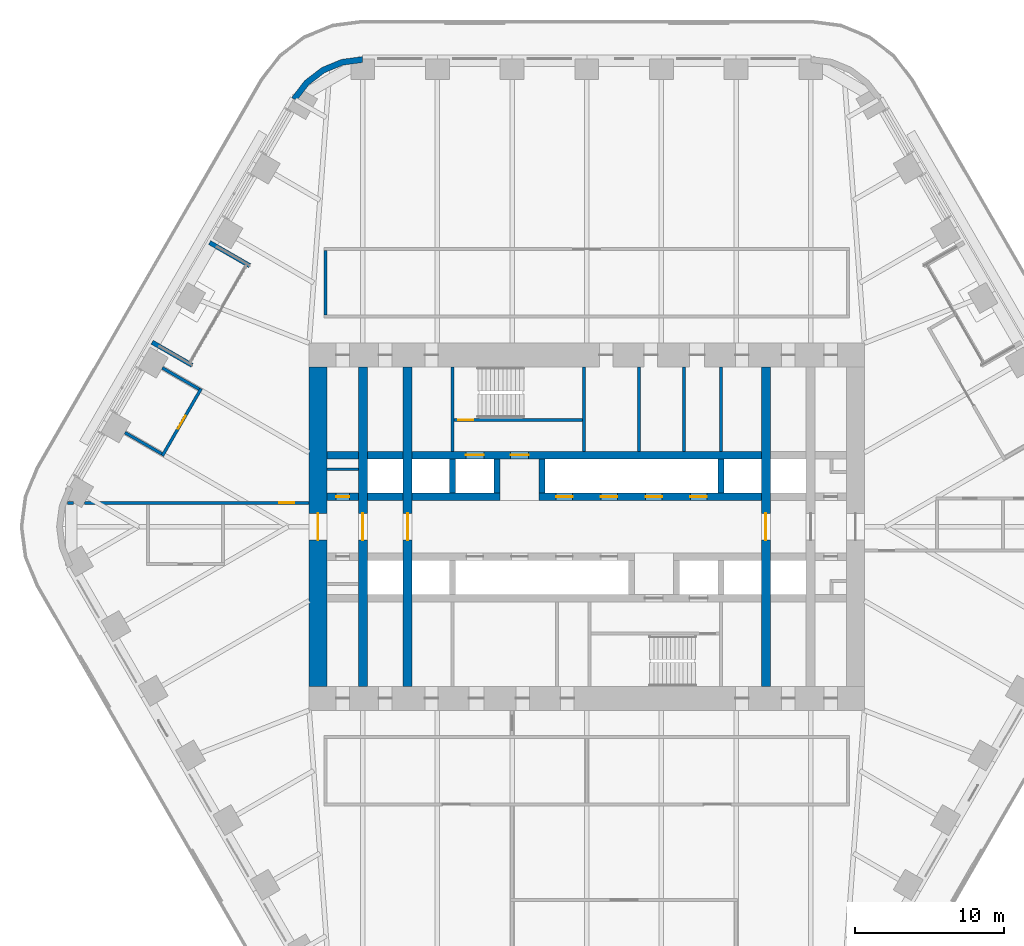
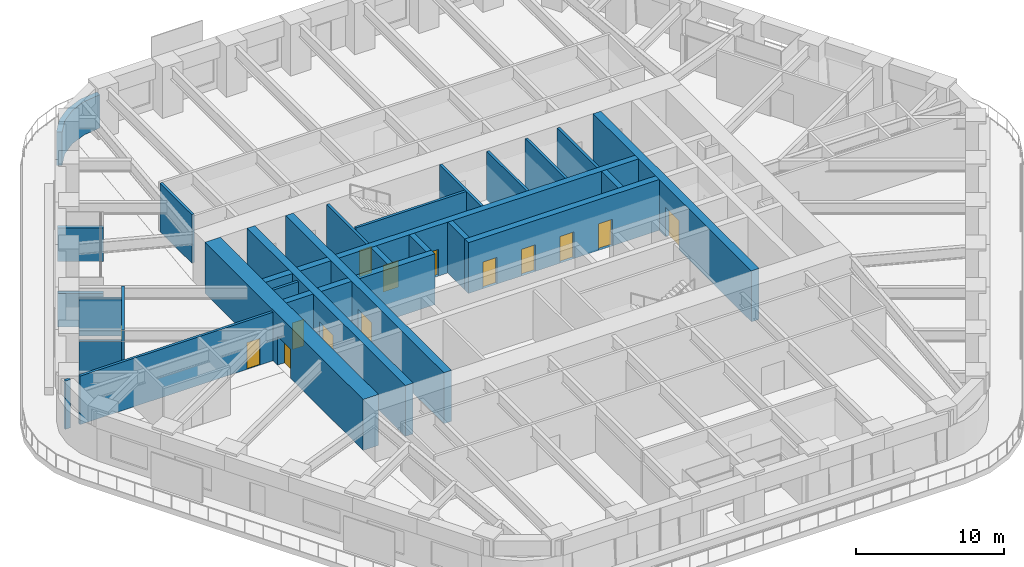
# One storey, part 19 of 24: 31 walls, 14 doors, 14 openings.
"""IFC4 building model written with IfcOpenShell, lengths in metres."""

from ifc_helpers import new_model, si_unit, direction, frame, frame_2d, origin, place, context, subcontext, project, spatial, polyline, rectangle, outline, extrude, material, layer, layer_set, type_object, element, fill, save


model = new_model("IFC4")

# Units and contexts
model_context = context("Model", 3, precision=1e-05, world=origin(), true_north=direction((0.0, 1.0)))
body_context = subcontext(model_context, "Body", "Model", "MODEL_VIEW")
ifc_project = project(units=[si_unit("LENGTHUNIT", "METRE"), si_unit("AREAUNIT", "SQUARE_METRE"), si_unit("VOLUMEUNIT", "CUBIC_METRE"), si_unit("PLANEANGLEUNIT", "RADIAN"), si_unit("MASSUNIT", "GRAM", prefix="KILO")], contexts=[model_context])

# Site, building, storey
site_placement = place(None, origin())
site = spatial("IfcSite", under=ifc_project, at=site_placement, CompositionType="ELEMENT")
building_placement = place(site_placement, origin())
building = spatial("IfcBuilding", under=site, at=building_placement, Name="Tarfa Lantern Tower", CompositionType="ELEMENT")
storey_placement = place(building_placement, frame((0.0, 0.0, 178.300048828125)))
storey = spatial("IfcBuildingStorey", under=building, at=storey_placement, Name="L40", CompositionType="ELEMENT", Elevation=178.300048828125)

# Walls
ifc_material_1 = material(Name="Limestone cladding on blockwork", Category="masonry")
ifc_layer_1 = layer(ifc_material_1, 0.300048828125)
ifc_layer_set_1 = layer_set([ifc_layer_1], Name="EW1 STONE-CLAD WALL 300")
wall_type_1 = type_object("IfcWallType", Name="EW1 STONE-CLAD WALL 300", PredefinedType="SOLIDWALL", material=ifc_layer_set_1)
wall_1_placement = place(storey_placement, frame((-25.266357421875, 19.037353515625, 0.0), z_axis=(0.0, 0.0, 1.0), x_axis=(0.86600983753, -0.500026960575, 0.0)))
element("IfcWall", 1, at=wall_1_placement, inside=storey, type_object=wall_type_1, Name="Loggia return NW 1", PredefinedType="SOLIDWALL", context=body_context, shape_type="SweptSolid", body=[
    extrude(rectangle(XDim=3.099853515625, YDim=0.300048828125, at=frame_2d((1.5498046875, 0.0))), origin(), (0.0, 0.0, 1.0), 2.75),
])
wall_2_placement = place(storey_placement, frame((-29.1201171875, 12.362548828125, 0.0), z_axis=(0.0, 0.0, 1.0), x_axis=(0.86602952684, -0.49999285859, 0.0)))
element("IfcWall", 2, at=wall_2_placement, inside=storey, type_object=wall_type_1, Name="Loggia return NW 2", PredefinedType="SOLIDWALL", context=body_context, shape_type="SweptSolid", body=[
    extrude(rectangle(XDim=3.10009765625, YDim=0.300048828125, at=frame_2d((1.550048828125, 0.0))), origin(), (0.0, 0.0, 1.0), 2.75),
])
ifc_layer_2 = layer(ifc_material_1, 0.39990234375)
ifc_layer_set_2 = layer_set([ifc_layer_2], Name="EW2 CURVED STONE CORNER 400")
wall_type_2 = type_object("IfcWallType", Name="EW2 CURVED STONE CORNER 400", PredefinedType="SOLIDWALL", material=ifc_layer_set_2)
wall_3_placement = place(storey_placement, origin())
element("IfcWall", 3, at=wall_3_placement, inside=storey, type_object=wall_type_2, Name="Stone corner N-NW", PredefinedType="SOLIDWALL", context=body_context, shape_type="SweptSolid", body=[
    extrude(outline(polyline([(-15.010986328125, 31.5), (-16.4345703125, 31.3125), (-17.760986328125, 30.76318359375), (-18.900146484375, 29.88916015625), (-19.774169921875, 28.75), (-19.427734375, 28.550048828125), (-18.617431640625, 29.606201171875), (-17.56103515625, 30.416748046875), (-16.3310546875, 30.92626953125), (-15.010986328125, 31.10009765625), (-15.010986328125, 31.5)])), origin(), (0.0, 0.0, 1.0), 2.75),
])
ifc_material_2 = material(Name="Concrete blockwork", Category="masonry")
ifc_layer_3 = layer(ifc_material_2, 0.199951171875)
ifc_layer_set_3 = layer_set([ifc_layer_3], Name="IW1 BLOCKWORK PARTITION 200 EI 120")
wall_type_3 = type_object("IfcWallType", Name="IW1 BLOCKWORK PARTITION 200 EI 120", PredefinedType="PARTITIONING", material=ifc_layer_set_3)
for number, where, z_axis, x_axis, name in (
    (4, (-9.0, 5.050048828125, 0.0), (0.0, 0.0, 1.0), (0.0, 1.0, 0.0), "Core partition"),
    (5, (9.0, 5.050048828125, 0.0), (0.0, 0.0, 1.0), (0.0, 1.0, 0.0), "Core partition"),
    (6, (3.5, 5.050048828125, 0.0), (0.0, 0.0, 1.0), (0.0, 1.0, 0.0), "Core partition"),
    (7, (6.5, 5.050048828125, 0.0), (0.0, 0.0, 1.0), (0.0, 1.0, 0.0), "Core partition"),
):
    element("IfcWall", number, at=place(storey_placement, frame(where, z_axis=z_axis, x_axis=x_axis)), inside=storey, type_object=wall_type_3, Name=name, PredefinedType="PARTITIONING", context=body_context, shape_type="SweptSolid", body=[
        extrude(rectangle(XDim=5.64990234375, YDim=0.199951171875, at=frame_2d((2.824951171875, 0.0))), origin(), (0.0, 0.0, 1.0), 4.0),
    ])
wall_4_placement = place(storey_placement, frame((-17.39990234375, 3.85009765625, 0.0), z_axis=(0.0, 0.0, 1.0), x_axis=(1.0, 0.0, 0.0)))
element("IfcWall", 8, at=wall_4_placement, inside=storey, type_object=wall_type_3, Name="Core partition", PredefinedType="PARTITIONING", context=body_context, shape_type="SweptSolid", body=[
    extrude(rectangle(XDim=2.099853515625, YDim=0.199951171875, at=frame_2d((1.0498046875, 0.0))), origin(), (0.0, 0.0, 1.0), 4.0),
])
ifc_material_3 = material(Name="Gypsum board on steel studs", Category="steel")
ifc_layer_4 = layer(ifc_material_3, 0.2099609375)
ifc_layer_set_4 = layer_set([ifc_layer_4], Name="IW2 ACOUSTIC PARTITION 200")
wall_type_4 = type_object("IfcWallType", Name="IW2 ACOUSTIC PARTITION 200", PredefinedType="PARTITIONING", material=ifc_layer_set_4)
wall_5_placement = place(storey_placement, frame((-17.5, 14.199951171875, 0.0), z_axis=(0.0, 0.0, 1.0), x_axis=(0.0, 1.0, 0.0)))
element("IfcWall", 9, at=wall_5_placement, inside=storey, type_object=wall_type_4, Name="Partition", PredefinedType="PARTITIONING", context=body_context, shape_type="SweptSolid", body=[
    extrude(rectangle(XDim=4.300048828125, YDim=0.199951171875, at=frame_2d((2.14990234375, 0.0))), origin(), (0.0, 0.0, 1.0), 4.0),
])

# Wall, opening, door
wall_6_placement = place(storey_placement, frame((-25.83447265625, 9.253173828125, 0.0), z_axis=(0.0, 0.0, 1.0), x_axis=(-0.500009456303, -0.866019944116, 0.0)))
wall_6 = element("IfcWall", 10, at=wall_6_placement, inside=storey, type_object=wall_type_4, Name="Partition", PredefinedType="PARTITIONING", context=body_context, shape_type="SweptSolid", body=[
    extrude(rectangle(XDim=5.20361328125, YDim=0.199951171875, at=frame_2d((2.601806640625, 0.0))), origin(), (0.0, 0.0, 1.0), 4.0),
])
opening_1_placement = place(wall_6_placement, frame((2.101806640625, 0.0, 0.0)))
opening_1 = element("IfcOpeningElement", 11, at=opening_1_placement, cuts=wall_6, Name="Opening D34", PredefinedType="OPENING", context=body_context, shape_type="SweptSolid", body=[
    extrude(rectangle(XDim=1.0, YDim=2.199951171875, at=frame_2d((0.5, 1.10009765625))), frame((0.0, 0.10986328125, 0.0), z_axis=(0.0, -1.0, 0.0), x_axis=(1.0, 0.0, 0.0)), (0.0, 0.0, 1.0), 0.219970703125),
])
ifc_material_4 = material(Name="Timber door", Category="wood")
door_type_1 = type_object("IfcDoorType", Name="DR1 ROOM DOOR 1000x2200", OperationType="SINGLE_SWING_LEFT", PredefinedType="DOOR", material=ifc_material_4)
door_1_placement = place(opening_1_placement, frame((1.0, 0.0, 0.0), z_axis=(0.0, 0.0, 1.0), x_axis=(-1.0, 0.0, 0.0)))
door_1 = element("IfcDoor", 12, at=door_1_placement, inside=storey, type_object=door_type_1, Name="Brand studio door", OperationType="SINGLE_SWING_RIGHT", OverallHeight=2.199951171875, OverallWidth=1.0, PredefinedType="DOOR", context=body_context, shape_type="SweptSolid", body=[
    extrude(rectangle(XDim=1.0, YDim=2.199951171875, at=frame_2d((0.5, 1.10009765625))), frame((0.0, 0.02490234375, 0.0), z_axis=(0.0, -1.0, 0.0), x_axis=(1.0, 0.0, 0.0)), (0.0, 0.0, 1.0), 0.050048828125),
])
fill(opening_1, door_1)

# Walls
wall_7_placement = place(storey_placement, frame((-25.97119140625, 9.216552734375, 0.0), z_axis=(0.0, 0.0, 1.0), x_axis=(-0.866004402611, 0.500036373335, 0.0)))
element("IfcWall", 13, at=wall_7_placement, inside=storey, type_object=wall_type_4, Name="Partition", PredefinedType="PARTITIONING", context=body_context, shape_type="SweptSolid", body=[
    extrude(rectangle(XDim=2.849853515625, YDim=0.199951171875, at=frame_2d((1.4248046875, 0.0))), origin(), (0.0, 0.0, 1.0), 3.08154296875),
])
wall_8_placement = place(storey_placement, frame((-28.472900390625, 4.88330078125, 0.0), z_axis=(0.0, 0.0, 1.0), x_axis=(-0.866025820012, 0.499999279071, 0.0)))
element("IfcWall", 14, at=wall_8_placement, inside=storey, type_object=wall_type_4, Name="Partition", PredefinedType="PARTITIONING", context=body_context, shape_type="SweptSolid", body=[
    extrude(rectangle(XDim=2.85009765625, YDim=0.199951171875, at=frame_2d((1.425048828125, 0.0))), origin(), (0.0, 0.0, 1.0), 3.08154296875),
])

# Wall, opening, door
wall_9_placement = place(storey_placement, frame((-18.60009765625, 1.60009765625, 0.0), z_axis=(0.0, 0.0, 1.0), x_axis=(-1.0, 0.0, 0.0)))
wall_9 = element("IfcWall", 15, at=wall_9_placement, inside=storey, type_object=wall_type_4, Name="Partition", PredefinedType="PARTITIONING", context=body_context, shape_type="SweptSolid", body=[
    extrude(rectangle(XDim=15.059326171875, YDim=0.199951171875, at=frame_2d((7.52978515625, 0.0))), origin(), (0.0, 0.0, 1.0), 4.0),
])
opening_2_placement = place(wall_9_placement, frame((1.005859375, 0.0, 0.0)))
opening_2 = element("IfcOpeningElement", 16, at=opening_2_placement, cuts=wall_9, Name="Opening D44", PredefinedType="OPENING", context=body_context, shape_type="SweptSolid", body=[
    extrude(rectangle(XDim=1.0, YDim=2.199951171875, at=frame_2d((0.5, 1.10009765625))), frame((0.0, 0.10986328125, 0.0), z_axis=(0.0, -1.0, 0.0), x_axis=(1.0, 0.0, 0.0)), (0.0, 0.0, 1.0), 0.219970703125),
])
door_2_placement = place(opening_2_placement, origin())
door_2 = element("IfcDoor", 17, at=door_2_placement, inside=storey, type_object=door_type_1, Name="Zone door", OperationType="SINGLE_SWING_RIGHT", OverallHeight=2.199951171875, OverallWidth=1.0, PredefinedType="DOOR", context=body_context, shape_type="SweptSolid", body=[
    extrude(rectangle(XDim=1.0, YDim=2.199951171875, at=frame_2d((0.5, 1.10009765625))), frame((0.0, 0.02490234375, 0.0), z_axis=(0.0, -1.0, 0.0), x_axis=(1.0, 0.0, 0.0)), (0.0, 0.0, 1.0), 0.050048828125),
])
fill(opening_2, door_2)

# Wall
wall_10_placement = place(storey_placement, frame((-34.3935546875, 1.60009765625, 0.0), z_axis=(0.0, 0.0, 1.0), x_axis=(-1.0, 0.0, 0.0)))
element("IfcWall", 18, at=wall_10_placement, inside=storey, type_object=wall_type_4, Name="Partition", PredefinedType="PARTITIONING", context=body_context, shape_type="SweptSolid", body=[
    extrude(rectangle(XDim=0.397705078125, YDim=0.199951171875, at=frame_2d((0.19873046875, 0.0))), origin(), (0.0, 0.0, 1.0), 4.0),
])

# Wall, opening, door
ifc_material_5 = material(Name="Concrete C80/95", Category="concrete")
ifc_layer_5 = layer(ifc_material_5, 1.199951171875)
ifc_layer_set_5 = layer_set([ifc_layer_5], Name="SW1 CORE WALL 1200")
wall_type_5 = type_object("IfcWallType", Name="SW1 CORE WALL 1200", PredefinedType="SHEAR", material=ifc_layer_set_5)
wall_11_placement = place(storey_placement, frame((-18.0, 10.699951171875, 0.0), z_axis=(0.0, 0.0, 1.0), x_axis=(0.0, -1.0, 0.0)))
wall_11 = element("IfcWall", 19, at=wall_11_placement, inside=storey, type_object=wall_type_5, Name="Core wall W", PredefinedType="SHEAR", context=body_context, shape_type="SweptSolid", body=[
    extrude(rectangle(XDim=21.39990234375, YDim=1.199951171875, at=frame_2d((10.699951171875, 0.0))), origin(), (0.0, 0.0, 1.0), 4.199951171875),
])
opening_3_placement = place(wall_11_placement, frame((9.800048828125, 0.0, 0.0)))
opening_3 = element("IfcOpeningElement", 20, at=opening_3_placement, cuts=wall_11, Name="Opening D16", PredefinedType="OPENING", context=body_context, shape_type="SweptSolid", body=[
    extrude(rectangle(XDim=1.800048828125, YDim=2.39990234375, at=frame_2d((0.89990234375, 1.199951171875))), frame((0.0, 0.60986328125, 0.0), z_axis=(0.0, -1.0, 0.0), x_axis=(1.0, 0.0, 0.0)), (0.0, 0.0, 1.0), 1.219970703125),
])
ifc_material_6 = material(Name="Steel fire door", Category="steel")
door_type_2 = type_object("IfcDoorType", Name="DL1 LOBBY DOOR 1800x2400", OperationType="DOUBLE_DOOR_SINGLE_SWING", PredefinedType="DOOR", material=ifc_material_6)
door_3_placement = place(opening_3_placement, frame((1.800048828125, 0.0, 0.0), z_axis=(0.0, 0.0, 1.0), x_axis=(-1.0, 0.0, 0.0)))
door_3 = element("IfcDoor", 21, at=door_3_placement, inside=storey, type_object=door_type_2, Name="Lift lobby door", OperationType="DOUBLE_DOOR_SINGLE_SWING", OverallHeight=2.39990234375, OverallWidth=1.800048828125, PredefinedType="DOOR", context=body_context, shape_type="SweptSolid", body=[
    extrude(rectangle(XDim=1.800048828125, YDim=2.39990234375, at=frame_2d((0.89990234375, 1.199951171875))), frame((0.0, 0.02490234375, 0.0), z_axis=(0.0, -1.0, 0.0), x_axis=(1.0, 0.0, 0.0)), (0.0, 0.0, 1.0), 0.050048828125),
])
fill(opening_3, door_3)

# Wall
ifc_layer_6 = layer(ifc_material_5, 0.199951171875)
ifc_layer_set_6 = layer_set([ifc_layer_6], Name="SW12 CORE WALL 200")
wall_type_6 = type_object("IfcWallType", Name="SW12 CORE WALL 200", PredefinedType="SHEAR", material=ifc_layer_set_6)
wall_12_placement = place(storey_placement, frame((-0.199951171875, 5.050048828125, 0.0), z_axis=(0.0, 0.0, 1.0), x_axis=(0.0, 1.0, 0.0)))
element("IfcWall", 22, at=wall_12_placement, inside=storey, type_object=wall_type_6, Name="Core wall stair shaft N", PredefinedType="SHEAR", context=body_context, shape_type="SweptSolid", body=[
    extrude(rectangle(XDim=5.64990234375, YDim=0.199951171875, at=frame_2d((2.824951171875, 0.0))), origin(), (0.0, 0.0, 1.0), 4.199951171875),
])

# Wall, opening, door
wall_13_placement = place(storey_placement, frame((-8.89990234375, 7.14990234375, 0.0), z_axis=(0.0, 0.0, 1.0), x_axis=(1.0, 0.0, 0.0)))
wall_13 = element("IfcWall", 23, at=wall_13_placement, inside=storey, type_object=wall_type_6, Name="Core wall stair partition N", PredefinedType="SHEAR", context=body_context, shape_type="SweptSolid", body=[
    extrude(rectangle(XDim=8.599853515625, YDim=0.199951171875, at=frame_2d((4.2998046875, 0.0))), origin(), (0.0, 0.0, 1.0), 4.199951171875),
])
opening_4_placement = place(wall_13_placement, frame((0.300048828125, 0.0, 0.0)))
opening_4 = element("IfcOpeningElement", 24, at=opening_4_placement, cuts=wall_13, Name="Opening D27", PredefinedType="OPENING", context=body_context, shape_type="SweptSolid", body=[
    extrude(rectangle(XDim=1.0, YDim=2.199951171875, at=frame_2d((0.5, 1.10009765625))), frame((0.0, 0.10986328125, 0.0), z_axis=(0.0, -1.0, 0.0), x_axis=(1.0, 0.0, 0.0)), (0.0, 0.0, 1.0), 0.219970703125),
])
door_type_3 = type_object("IfcDoorType", Name="DF2 STAIR DOOR 1000x2200", OperationType="SINGLE_SWING_LEFT", PredefinedType="DOOR", material=ifc_material_6)
door_4_placement = place(opening_4_placement, origin())
door_4 = element("IfcDoor", 25, at=door_4_placement, inside=storey, type_object=door_type_3, Name="Stair door", OperationType="SINGLE_SWING_RIGHT", OverallHeight=2.199951171875, OverallWidth=1.0, PredefinedType="DOOR", context=body_context, shape_type="SweptSolid", body=[
    extrude(rectangle(XDim=1.0, YDim=2.199951171875, at=frame_2d((0.5, 1.10009765625))), frame((0.0, 0.02490234375, 0.0), z_axis=(0.0, -1.0, 0.0), x_axis=(1.0, 0.0, 0.0)), (0.0, 0.0, 1.0), 0.050048828125),
])
fill(opening_4, door_4)

ifc_layer_7 = layer(ifc_material_5, 0.5)
ifc_layer_set_7 = layer_set([ifc_layer_7], Name="SW5 CORE WALL 500")
wall_type_7 = type_object("IfcWallType", Name="SW5 CORE WALL 500", PredefinedType="SHEAR", material=ifc_layer_set_7)
wall_14_placement = place(storey_placement, frame((-17.39990234375, 2.0, 0.0), z_axis=(0.0, 0.0, 1.0), x_axis=(1.0, 0.0, 0.0)))
wall_14 = element("IfcWall", 26, at=wall_14_placement, inside=storey, type_object=wall_type_7, Name="Core wall lobby west N", PredefinedType="SHEAR", context=body_context, shape_type="SweptSolid", body=[
    extrude(rectangle(XDim=2.099853515625, YDim=0.5, at=frame_2d((1.0498046875, 0.0))), origin(), (0.0, 0.0, 1.0), 4.199951171875),
])
opening_5_placement = place(wall_14_placement, frame((0.60009765625, 0.0, 0.0)))
opening_5 = element("IfcOpeningElement", 27, at=opening_5_placement, cuts=wall_14, Name="Opening D19", PredefinedType="OPENING", context=body_context, shape_type="SweptSolid", body=[
    extrude(rectangle(XDim=0.89990234375, YDim=2.199951171875, at=frame_2d((0.449951171875, 1.10009765625))), frame((0.0, 0.260009765625, 0.0), z_axis=(0.0, -1.0, 0.0), x_axis=(1.0, 0.0, 0.0)), (0.0, 0.0, 1.0), 0.52001953125),
])
door_type_4 = type_object("IfcDoorType", Name="DF6 SERVICE ROOM DOOR 900x2200", OperationType="SINGLE_SWING_LEFT", PredefinedType="DOOR", material=ifc_material_6)
door_5_placement = place(opening_5_placement, origin())
door_5 = element("IfcDoor", 28, at=door_5_placement, inside=storey, type_object=door_type_4, Name="Service room door", OperationType="SINGLE_SWING_LEFT", OverallHeight=2.199951171875, OverallWidth=0.89990234375, PredefinedType="DOOR", context=body_context, shape_type="SweptSolid", body=[
    extrude(rectangle(XDim=0.89990234375, YDim=2.199951171875, at=frame_2d((0.449951171875, 1.10009765625))), frame((0.0, 0.02490234375, 0.0), z_axis=(0.0, -1.0, 0.0), x_axis=(1.0, 0.0, 0.0)), (0.0, 0.0, 1.0), 0.050048828125),
])
fill(opening_5, door_5)

# Walls
wall_15_placement = place(storey_placement, frame((-14.699951171875, 2.0, 0.0), z_axis=(0.0, 0.0, 1.0), x_axis=(1.0, 0.0, 0.0)))
element("IfcWall", 29, at=wall_15_placement, inside=storey, type_object=wall_type_7, Name="Core wall lobby west N", PredefinedType="SHEAR", context=body_context, shape_type="SweptSolid", body=[
    extrude(rectangle(XDim=2.39990234375, YDim=0.5, at=frame_2d((1.199951171875, 0.0))), origin(), (0.0, 0.0, 1.0), 4.199951171875),
])
wall_16_placement = place(storey_placement, frame((-11.699951171875, 2.0, 0.0), z_axis=(0.0, 0.0, 1.0), x_axis=(1.0, 0.0, 0.0)))
element("IfcWall", 30, at=wall_16_placement, inside=storey, type_object=wall_type_7, Name="Core wall lobby west N", PredefinedType="SHEAR", context=body_context, shape_type="SweptSolid", body=[
    extrude(rectangle(XDim=5.89990234375, YDim=0.5, at=frame_2d((2.949951171875, 0.0))), origin(), (0.0, 0.0, 1.0), 4.199951171875),
])

# Wall, openings, doors
wall_17_placement = place(storey_placement, frame((-3.199951171875, 2.0, 0.0), z_axis=(0.0, 0.0, 1.0), x_axis=(1.0, 0.0, 0.0)))
wall_17 = element("IfcWall", 31, at=wall_17_placement, inside=storey, type_object=wall_type_7, Name="Core wall lobby east N", PredefinedType="SHEAR", context=body_context, shape_type="SweptSolid", body=[
    extrude(rectangle(XDim=14.89990234375, YDim=0.5, at=frame_2d((7.449951171875, 0.0))), origin(), (0.0, 0.0, 1.0), 4.199951171875),
])
opening_6_placement = place(wall_17_placement, frame((1.14990234375, 0.0, 0.0)))
opening_6 = element("IfcOpeningElement", 32, at=opening_6_placement, cuts=wall_17, Name="Opening LD03", PredefinedType="OPENING", context=body_context, shape_type="SweptSolid", body=[
    extrude(rectangle(XDim=1.10009765625, YDim=2.199951171875, at=frame_2d((0.550048828125, 1.10009765625))), frame((0.0, 0.260009765625, 0.0), z_axis=(0.0, -1.0, 0.0), x_axis=(1.0, 0.0, 0.0)), (0.0, 0.0, 1.0), 0.52001953125),
])
opening_7_placement = place(wall_17_placement, frame((4.14990234375, 0.0, 0.0)))
opening_7 = element("IfcOpeningElement", 33, at=opening_7_placement, cuts=wall_17, Name="Opening LD04", PredefinedType="OPENING", context=body_context, shape_type="SweptSolid", body=[
    extrude(rectangle(XDim=1.10009765625, YDim=2.199951171875, at=frame_2d((0.550048828125, 1.10009765625))), frame((0.0, 0.260009765625, 0.0), z_axis=(0.0, -1.0, 0.0), x_axis=(1.0, 0.0, 0.0)), (0.0, 0.0, 1.0), 0.52001953125),
])
opening_8_placement = place(wall_17_placement, frame((7.14990234375, 0.0, 0.0)))
opening_8 = element("IfcOpeningElement", 34, at=opening_8_placement, cuts=wall_17, Name="Opening LD05", PredefinedType="OPENING", context=body_context, shape_type="SweptSolid", body=[
    extrude(rectangle(XDim=1.10009765625, YDim=2.199951171875, at=frame_2d((0.550048828125, 1.10009765625))), frame((0.0, 0.260009765625, 0.0), z_axis=(0.0, -1.0, 0.0), x_axis=(1.0, 0.0, 0.0)), (0.0, 0.0, 1.0), 0.52001953125),
])
opening_9_placement = place(wall_17_placement, frame((10.14990234375, 0.0, 0.0)))
opening_9 = element("IfcOpeningElement", 35, at=opening_9_placement, cuts=wall_17, Name="Opening LD06", PredefinedType="OPENING", context=body_context, shape_type="SweptSolid", body=[
    extrude(rectangle(XDim=1.10009765625, YDim=2.199951171875, at=frame_2d((0.550048828125, 1.10009765625))), frame((0.0, 0.260009765625, 0.0), z_axis=(0.0, -1.0, 0.0), x_axis=(1.0, 0.0, 0.0)), (0.0, 0.0, 1.0), 0.52001953125),
])
ifc_material_7 = material(Name="Stainless steel lift door", Category="steel")
door_type_5 = type_object("IfcDoorType", Name="LD2 LIFT LANDING DOOR 1100x2200", OperationType="SLIDING_TO_LEFT", PredefinedType="DOOR", material=ifc_material_7)
door_6_placement = place(opening_6_placement, frame((1.10009765625, 0.0, 0.0), z_axis=(0.0, 0.0, 1.0), x_axis=(-1.0, 0.0, 0.0)))
door_6 = element("IfcDoor", 36, at=door_6_placement, inside=storey, type_object=door_type_5, Name="Landing door PB1", OperationType="SLIDING_TO_LEFT", OverallHeight=2.199951171875, OverallWidth=1.10009765625, PredefinedType="DOOR", context=body_context, shape_type="SweptSolid", body=[
    extrude(rectangle(XDim=1.10009765625, YDim=2.199951171875, at=frame_2d((0.550048828125, 1.10009765625))), frame((0.0, 0.02490234375, 0.0), z_axis=(0.0, -1.0, 0.0), x_axis=(1.0, 0.0, 0.0)), (0.0, 0.0, 1.0), 0.050048828125),
])
fill(opening_6, door_6)
door_7_placement = place(opening_7_placement, frame((1.10009765625, 0.0, 0.0), z_axis=(0.0, 0.0, 1.0), x_axis=(-1.0, 0.0, 0.0)))
door_7 = element("IfcDoor", 37, at=door_7_placement, inside=storey, type_object=door_type_5, Name="Landing door PB2", OperationType="SLIDING_TO_LEFT", OverallHeight=2.199951171875, OverallWidth=1.10009765625, PredefinedType="DOOR", context=body_context, shape_type="SweptSolid", body=[
    extrude(rectangle(XDim=1.10009765625, YDim=2.199951171875, at=frame_2d((0.550048828125, 1.10009765625))), frame((0.0, 0.02490234375, 0.0), z_axis=(0.0, -1.0, 0.0), x_axis=(1.0, 0.0, 0.0)), (0.0, 0.0, 1.0), 0.050048828125),
])
fill(opening_7, door_7)
door_8_placement = place(opening_8_placement, frame((1.10009765625, 0.0, 0.0), z_axis=(0.0, 0.0, 1.0), x_axis=(-1.0, 0.0, 0.0)))
door_8 = element("IfcDoor", 38, at=door_8_placement, inside=storey, type_object=door_type_5, Name="Landing door PB3", OperationType="SLIDING_TO_LEFT", OverallHeight=2.199951171875, OverallWidth=1.10009765625, PredefinedType="DOOR", context=body_context, shape_type="SweptSolid", body=[
    extrude(rectangle(XDim=1.10009765625, YDim=2.199951171875, at=frame_2d((0.550048828125, 1.10009765625))), frame((0.0, 0.02490234375, 0.0), z_axis=(0.0, -1.0, 0.0), x_axis=(1.0, 0.0, 0.0)), (0.0, 0.0, 1.0), 0.050048828125),
])
fill(opening_8, door_8)
door_9_placement = place(opening_9_placement, frame((1.10009765625, 0.0, 0.0), z_axis=(0.0, 0.0, 1.0), x_axis=(-1.0, 0.0, 0.0)))
door_9 = element("IfcDoor", 39, at=door_9_placement, inside=storey, type_object=door_type_5, Name="Landing door PB4", OperationType="SLIDING_TO_LEFT", OverallHeight=2.199951171875, OverallWidth=1.10009765625, PredefinedType="DOOR", context=body_context, shape_type="SweptSolid", body=[
    extrude(rectangle(XDim=1.10009765625, YDim=2.199951171875, at=frame_2d((0.550048828125, 1.10009765625))), frame((0.0, 0.02490234375, 0.0), z_axis=(0.0, -1.0, 0.0), x_axis=(1.0, 0.0, 0.0)), (0.0, 0.0, 1.0), 0.050048828125),
])
fill(opening_9, door_9)

# Walls
wall_18_placement = place(storey_placement, frame((-17.39990234375, 4.800048828125, 0.0), z_axis=(0.0, 0.0, 1.0), x_axis=(1.0, 0.0, 0.0)))
element("IfcWall", 40, at=wall_18_placement, inside=storey, type_object=wall_type_7, Name="Core wall rear N", PredefinedType="SHEAR", context=body_context, shape_type="SweptSolid", body=[
    extrude(rectangle(XDim=2.099853515625, YDim=0.5, at=frame_2d((1.0498046875, 0.0))), origin(), (0.0, 0.0, 1.0), 4.199951171875),
])
wall_19_placement = place(storey_placement, frame((-14.699951171875, 4.800048828125, 0.0), z_axis=(0.0, 0.0, 1.0), x_axis=(1.0, 0.0, 0.0)))
element("IfcWall", 41, at=wall_19_placement, inside=storey, type_object=wall_type_7, Name="Core wall rear N", PredefinedType="SHEAR", context=body_context, shape_type="SweptSolid", body=[
    extrude(rectangle(XDim=2.39990234375, YDim=0.5, at=frame_2d((1.199951171875, 0.0))), origin(), (0.0, 0.0, 1.0), 4.199951171875),
])

# Wall, openings, doors
wall_20_placement = place(storey_placement, frame((-11.699951171875, 4.800048828125, 0.0), z_axis=(0.0, 0.0, 1.0), x_axis=(1.0, 0.0, 0.0)))
wall_20 = element("IfcWall", 42, at=wall_20_placement, inside=storey, type_object=wall_type_7, Name="Core wall rear N", PredefinedType="SHEAR", context=body_context, shape_type="SweptSolid", body=[
    extrude(rectangle(XDim=23.39990234375, YDim=0.5, at=frame_2d((11.699951171875, 0.0))), origin(), (0.0, 0.0, 1.0), 4.199951171875),
])
opening_10_placement = place(wall_20_placement, frame((6.60009765625, 0.0, 0.0)))
opening_10 = element("IfcOpeningElement", 43, at=opening_10_placement, cuts=wall_20, Name="Opening D13", PredefinedType="OPENING", context=body_context, shape_type="SweptSolid", body=[
    extrude(rectangle(XDim=1.199951171875, YDim=2.199951171875, at=frame_2d((0.60009765625, 1.10009765625))), frame((0.0, 0.260009765625, 0.0), z_axis=(0.0, -1.0, 0.0), x_axis=(1.0, 0.0, 0.0)), (0.0, 0.0, 1.0), 0.52001953125),
])
opening_11_placement = place(wall_20_placement, frame((3.60009765625, 0.0, 0.0)))
opening_11 = element("IfcOpeningElement", 44, at=opening_11_placement, cuts=wall_20, Name="Opening LD01", PredefinedType="OPENING", context=body_context, shape_type="SweptSolid", body=[
    extrude(rectangle(XDim=1.199951171875, YDim=2.199951171875, at=frame_2d((0.60009765625, 1.10009765625))), frame((0.0, 0.260009765625, 0.0), z_axis=(0.0, -1.0, 0.0), x_axis=(1.0, 0.0, 0.0)), (0.0, 0.0, 1.0), 0.52001953125),
])
door_type_6 = type_object("IfcDoorType", Name="DF1 FIREFIGHTING LOBBY DOOR 1200x2200", OperationType="SINGLE_SWING_LEFT", PredefinedType="DOOR", material=ifc_material_6)
door_10_placement = place(opening_10_placement, origin())
door_10 = element("IfcDoor", 45, at=door_10_placement, inside=storey, type_object=door_type_6, Name="Firefighting lobby door", OperationType="SINGLE_SWING_LEFT", OverallHeight=2.199951171875, OverallWidth=1.199951171875, PredefinedType="DOOR", context=body_context, shape_type="SweptSolid", body=[
    extrude(rectangle(XDim=1.199951171875, YDim=2.199951171875, at=frame_2d((0.60009765625, 1.10009765625))), frame((0.0, 0.02490234375, 0.0), z_axis=(0.0, -1.0, 0.0), x_axis=(1.0, 0.0, 0.0)), (0.0, 0.0, 1.0), 0.050048828125),
])
fill(opening_10, door_10)
door_type_7 = type_object("IfcDoorType", Name="LD1 LIFT LANDING DOOR 1200x2200", OperationType="SLIDING_TO_LEFT", PredefinedType="DOOR", material=ifc_material_7)
door_11_placement = place(opening_11_placement, origin())
door_11 = element("IfcDoor", 46, at=door_11_placement, inside=storey, type_object=door_type_7, Name="Landing door FL1", OperationType="SLIDING_TO_LEFT", OverallHeight=2.199951171875, OverallWidth=1.199951171875, PredefinedType="DOOR", context=body_context, shape_type="SweptSolid", body=[
    extrude(rectangle(XDim=1.199951171875, YDim=2.199951171875, at=frame_2d((0.60009765625, 1.10009765625))), frame((0.0, 0.02490234375, 0.0), z_axis=(0.0, -1.0, 0.0), x_axis=(1.0, 0.0, 0.0)), (0.0, 0.0, 1.0), 0.050048828125),
])
fill(opening_11, door_11)

# Walls
ifc_layer_8 = layer(ifc_material_5, 0.39990234375)
ifc_layer_set_8 = layer_set([ifc_layer_8], Name="SW6 CORE WALL 400")
wall_type_8 = type_object("IfcWallType", Name="SW6 CORE WALL 400", PredefinedType="SHEAR", material=ifc_layer_set_8)
for number, where, z_axis, x_axis, name in (
    (47, (-9.0, 2.25, 0.0), (0.0, 0.0, 1.0), (0.0, 1.0, 0.0), "Core wall divider N"),
    (48, (-6.0, 2.25, 0.0), (0.0, 0.0, 1.0), (0.0, 1.0, 0.0), "Core wall divider N"),
    (49, (-3.0, 2.25, 0.0), (0.0, 0.0, 1.0), (0.0, 1.0, 0.0), "Core wall divider N"),
    (50, (9.0, 2.25, 0.0), (0.0, 0.0, 1.0), (0.0, 1.0, 0.0), "Core wall divider N"),
):
    element("IfcWall", number, at=place(storey_placement, frame(where, z_axis=z_axis, x_axis=x_axis)), inside=storey, type_object=wall_type_8, Name=name, PredefinedType="SHEAR", context=body_context, shape_type="SweptSolid", body=[
        extrude(rectangle(XDim=2.300048828125, YDim=0.39990234375, at=frame_2d((1.14990234375, 0.0))), origin(), (0.0, 0.0, 1.0), 4.199951171875),
    ])

# Wall, opening, door
ifc_layer_9 = layer(ifc_material_5, 0.60009765625)
ifc_layer_set_9 = layer_set([ifc_layer_9], Name="SW9 CORE WALL 600")
wall_type_9 = type_object("IfcWallType", Name="SW9 CORE WALL 600", PredefinedType="SHEAR", material=ifc_layer_set_9)
wall_21_placement = place(storey_placement, frame((12.0, -10.699951171875, 0.0), z_axis=(0.0, 0.0, 1.0), x_axis=(0.0, 1.0, 0.0)))
wall_21 = element("IfcWall", 51, at=wall_21_placement, inside=storey, type_object=wall_type_9, Name="Core wall cross 12 m east", PredefinedType="SHEAR", context=body_context, shape_type="SweptSolid", body=[
    extrude(rectangle(XDim=21.39990234375, YDim=0.60009765625, at=frame_2d((10.699951171875, 0.0))), origin(), (0.0, 0.0, 1.0), 4.199951171875),
])
opening_12_placement = place(wall_21_placement, frame((9.800048828125, 0.0, 0.0)))
opening_12 = element("IfcOpeningElement", 52, at=opening_12_placement, cuts=wall_21, Name="Opening D29", PredefinedType="OPENING", context=body_context, shape_type="SweptSolid", body=[
    extrude(rectangle(XDim=1.800048828125, YDim=2.39990234375, at=frame_2d((0.89990234375, 1.199951171875))), frame((0.0, 0.31005859375, 0.0), z_axis=(0.0, -1.0, 0.0), x_axis=(1.0, 0.0, 0.0)), (0.0, 0.0, 1.0), 0.6201171875),
])
door_12_placement = place(opening_12_placement, origin())
door_12 = element("IfcDoor", 53, at=door_12_placement, inside=storey, type_object=door_type_2, Name="Lift lobby door", OperationType="DOUBLE_DOOR_SINGLE_SWING", OverallHeight=2.39990234375, OverallWidth=1.800048828125, PredefinedType="DOOR", context=body_context, shape_type="SweptSolid", body=[
    extrude(rectangle(XDim=1.800048828125, YDim=2.39990234375, at=frame_2d((0.89990234375, 1.199951171875))), frame((0.0, 0.02490234375, 0.0), z_axis=(0.0, -1.0, 0.0), x_axis=(1.0, 0.0, 0.0)), (0.0, 0.0, 1.0), 0.050048828125),
])
fill(opening_12, door_12)

wall_22_placement = place(storey_placement, frame((-12.0, -10.699951171875, 0.0), z_axis=(0.0, 0.0, 1.0), x_axis=(0.0, 1.0, 0.0)))
wall_22 = element("IfcWall", 54, at=wall_22_placement, inside=storey, type_object=wall_type_9, Name="Core wall cross 12 m west", PredefinedType="SHEAR", context=body_context, shape_type="SweptSolid", body=[
    extrude(rectangle(XDim=21.39990234375, YDim=0.60009765625, at=frame_2d((10.699951171875, 0.0))), origin(), (0.0, 0.0, 1.0), 4.199951171875),
])
opening_13_placement = place(wall_22_placement, frame((9.800048828125, 0.0, 0.0)))
opening_13 = element("IfcOpeningElement", 55, at=opening_13_placement, cuts=wall_22, Name="Opening D31", PredefinedType="OPENING", context=body_context, shape_type="SweptSolid", body=[
    extrude(rectangle(XDim=1.800048828125, YDim=2.39990234375, at=frame_2d((0.89990234375, 1.199951171875))), frame((0.0, 0.31005859375, 0.0), z_axis=(0.0, -1.0, 0.0), x_axis=(1.0, 0.0, 0.0)), (0.0, 0.0, 1.0), 0.6201171875),
])
door_13_placement = place(opening_13_placement, origin())
door_13 = element("IfcDoor", 56, at=door_13_placement, inside=storey, type_object=door_type_2, Name="Lift lobby door", OperationType="DOUBLE_DOOR_SINGLE_SWING", OverallHeight=2.39990234375, OverallWidth=1.800048828125, PredefinedType="DOOR", context=body_context, shape_type="SweptSolid", body=[
    extrude(rectangle(XDim=1.800048828125, YDim=2.39990234375, at=frame_2d((0.89990234375, 1.199951171875))), frame((0.0, 0.02490234375, 0.0), z_axis=(0.0, -1.0, 0.0), x_axis=(1.0, 0.0, 0.0)), (0.0, 0.0, 1.0), 0.050048828125),
])
fill(opening_13, door_13)

wall_23_placement = place(storey_placement, frame((-15.0, -10.699951171875, 0.0), z_axis=(0.0, 0.0, 1.0), x_axis=(0.0, 1.0, 0.0)))
wall_23 = element("IfcWall", 57, at=wall_23_placement, inside=storey, type_object=wall_type_9, Name="Core wall cross 15 m west", PredefinedType="SHEAR", context=body_context, shape_type="SweptSolid", body=[
    extrude(rectangle(XDim=21.39990234375, YDim=0.60009765625, at=frame_2d((10.699951171875, 0.0))), origin(), (0.0, 0.0, 1.0), 4.199951171875),
])
opening_14_placement = place(wall_23_placement, frame((9.800048828125, 0.0, 0.0)))
opening_14 = element("IfcOpeningElement", 58, at=opening_14_placement, cuts=wall_23, Name="Opening D32", PredefinedType="OPENING", context=body_context, shape_type="SweptSolid", body=[
    extrude(rectangle(XDim=1.800048828125, YDim=2.39990234375, at=frame_2d((0.89990234375, 1.199951171875))), frame((0.0, 0.31005859375, 0.0), z_axis=(0.0, -1.0, 0.0), x_axis=(1.0, 0.0, 0.0)), (0.0, 0.0, 1.0), 0.6201171875),
])
door_14_placement = place(opening_14_placement, origin())
door_14 = element("IfcDoor", 59, at=door_14_placement, inside=storey, type_object=door_type_2, Name="Lift lobby door", OperationType="DOUBLE_DOOR_SINGLE_SWING", OverallHeight=2.39990234375, OverallWidth=1.800048828125, PredefinedType="DOOR", context=body_context, shape_type="SweptSolid", body=[
    extrude(rectangle(XDim=1.800048828125, YDim=2.39990234375, at=frame_2d((0.89990234375, 1.199951171875))), frame((0.0, 0.02490234375, 0.0), z_axis=(0.0, -1.0, 0.0), x_axis=(1.0, 0.0, 0.0)), (0.0, 0.0, 1.0), 0.050048828125),
])
fill(opening_14, door_14)

save(model, "model.ifc")
